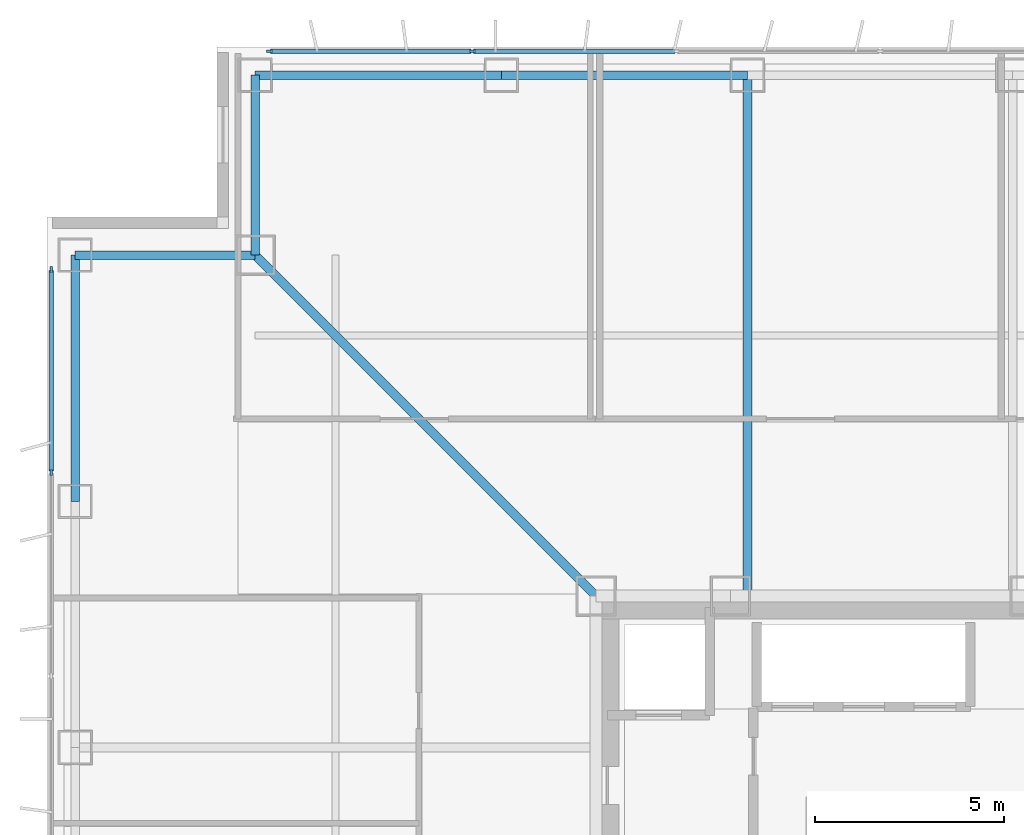
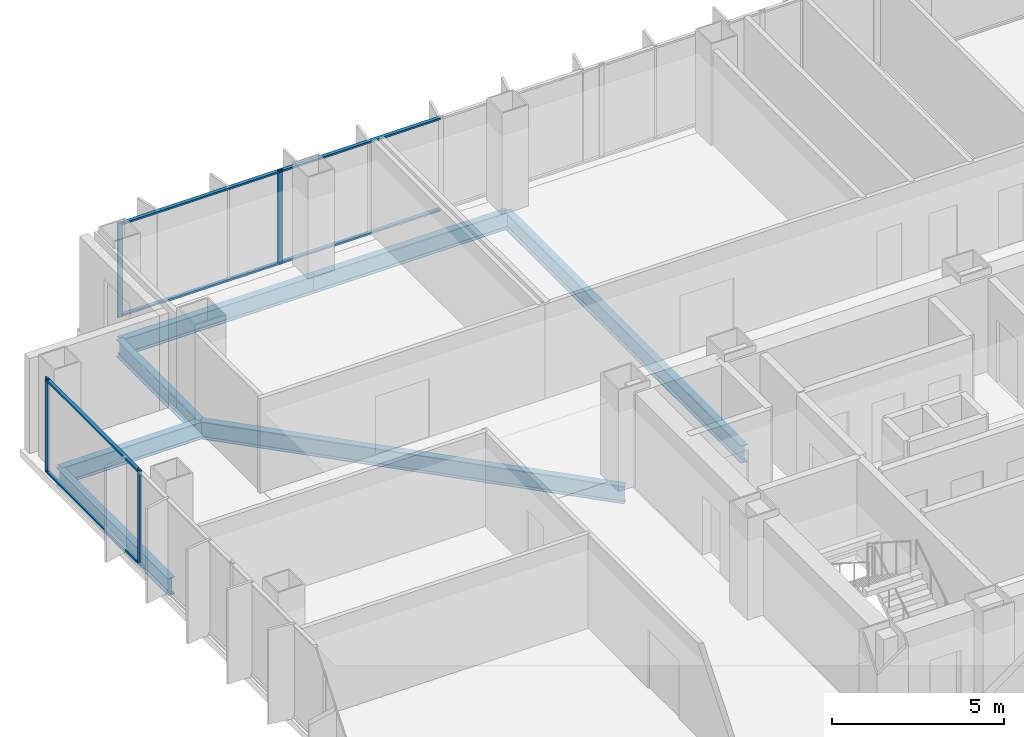
# One storey, part 9 of 17: 10 members, 7 beams, 2 elements without a shape of their own.
"""IFC4 building model written with IfcOpenShell, lengths in metres."""

from ifc_helpers import new_model, si_unit, direction, frame, origin, origin_2d, place, context, subcontext, project, spatial, rectangle, i_section, extrude, material, layer, layer_set, material_profile, profile_set, type_object, element, aggregate, save


model = new_model("IFC4")

# Units and contexts
model_context = context("Model", 3, precision=1e-05, world=origin(), true_north=direction((0.0, 1.0)))
body_context = subcontext(model_context, "Body", "Model", "MODEL_VIEW")
ifc_project = project(units=[si_unit("LENGTHUNIT", "METRE"), si_unit("AREAUNIT", "SQUARE_METRE"), si_unit("VOLUMEUNIT", "CUBIC_METRE"), si_unit("PLANEANGLEUNIT", "RADIAN"), si_unit("MASSUNIT", "GRAM", prefix="KILO")], contexts=[model_context])

# Site, building, storey
site_placement = place(None, origin())
site = spatial("IfcSite", under=ifc_project, at=site_placement, CompositionType="ELEMENT")
building_placement = place(site_placement, origin())
building = spatial("IfcBuilding", under=site, at=building_placement, Name="Trevonay Congress Spire", CompositionType="ELEMENT")
storey_placement = place(building_placement, frame((0.0, 0.0, 126.39990234375)))
storey = spatial("IfcBuildingStorey", under=building, at=storey_placement, Name="L32", CompositionType="ELEMENT", Elevation=126.39990234375)

# Beams
ifc_material_1 = material(Name="Steel ASTM A572 Grade 50", Category="steel")
ifc_material_profile_1 = material_profile(ifc_material_1, i_section(OverallWidth=0.22998046875, OverallDepth=0.616943359375, WebThickness=0.01318359375, FlangeThickness=0.022216796875, FilletRadius=0.01611328125, at=origin_2d()), Name="W610x140")
ifc_profile_set_1 = profile_set([ifc_material_profile_1], Name="Steel ASTM A572 Grade 50")
beam_type_1 = type_object("IfcBeamType", Name="BM-GIRD-W610X140", PredefinedType="BEAM", material=ifc_profile_set_1)
beam_1_placement = place(storey_placement, frame((-7.5, 7.5, -0.54833984375), z_axis=(-0.707106781187, 0.707106781187, 0.0), x_axis=(-0.707106781187, -0.707106781187, 0.0)))
element("IfcBeam", 1, at=beam_1_placement, inside=storey, type_object=beam_type_1, Name="L32 structural beam BM-L32-CDNW", PredefinedType="BEAM", context=body_context, shape_type="SweptSolid", body=[
    extrude(i_section(OverallWidth=0.22998046875, OverallDepth=0.616943359375, WebThickness=0.01318359375, FlangeThickness=0.022216796875, FilletRadius=0.01611328125, at=origin_2d()), origin(), (0.0, 0.0, 1.0), 12.72802734375),
])
beam_2_placement = place(storey_placement, frame((-3.5, 7.5, -0.54833984375), z_axis=(0.0, 1.0, 0.0), x_axis=(-1.0, 0.0, 0.0)))
element("IfcBeam", 2, at=beam_2_placement, inside=storey, type_object=beam_type_1, Name="L32 structural beam BM-L32-GN-M", PredefinedType="BEAM", context=body_context, shape_type="SweptSolid", body=[
    extrude(i_section(OverallWidth=0.22998046875, OverallDepth=0.616943359375, WebThickness=0.01318359375, FlangeThickness=0.022216796875, FilletRadius=0.01611328125, at=origin_2d()), origin(), (0.0, 0.0, 1.0), 13.75),
])
ifc_material_profile_2 = material_profile(ifc_material_1, i_section(OverallWidth=0.22802734375, OverallDepth=0.60791015625, WebThickness=0.01123046875, FlangeThickness=0.017333984375, FilletRadius=0.01611328125, at=origin_2d()), Name="W610x113")
ifc_profile_set_2 = profile_set([ifc_material_profile_2], Name="Steel ASTM A572 Grade 50")
beam_type_2 = type_object("IfcBeamType", Name="BM-RING-W610X113", PredefinedType="BEAM", material=ifc_profile_set_2)
for number, where, z_axis, x_axis, name in (
    (3, (-16.5, 21.25, -0.5439453125), (1.0, 0.0, 0.0), (0.0, 1.0, 0.0), "L32 structural beam BM-L32-PN1"),
    (4, (-10.0, 21.25, -0.5439453125), (1.0, 0.0, 0.0), (0.0, 1.0, 0.0), "L32 structural beam BM-L32-PN2"),
    (5, (-21.25, 10.0, -0.5439453125), (0.0, 1.0, 0.0), (-1.0, 0.0, 0.0), "L32 structural beam BM-L32-PW5"),
):
    element("IfcBeam", number, at=place(storey_placement, frame(where, z_axis=z_axis, x_axis=x_axis)), inside=storey, type_object=beam_type_2, Name=name, PredefinedType="BEAM", context=body_context, shape_type="SweptSolid", body=[
        extrude(i_section(OverallWidth=0.22802734375, OverallDepth=0.60791015625, WebThickness=0.01123046875, FlangeThickness=0.017333984375, FilletRadius=0.01611328125, at=origin_2d()), origin(), (0.0, 0.0, 1.0), 6.5),
    ])
for number, where, z_axis, x_axis, name in (
    (6, (-16.5, 21.25, -0.5439453125), (0.0, -1.0, 0.0), (1.0, 0.0, 0.0), "L32 structural beam BM-L32-N1NW"),
    (7, (-21.25, 16.5, -0.5439453125), (1.0, 0.0, 0.0), (0.0, 1.0, 0.0), "L32 structural beam BM-L32-N2NW"),
):
    element("IfcBeam", number, at=place(storey_placement, frame(where, z_axis=z_axis, x_axis=x_axis)), inside=storey, type_object=beam_type_2, Name=name, PredefinedType="BEAM", context=body_context, shape_type="SweptSolid", body=[
        extrude(i_section(OverallWidth=0.22802734375, OverallDepth=0.60791015625, WebThickness=0.01123046875, FlangeThickness=0.017333984375, FilletRadius=0.01611328125, at=origin_2d()), origin(), (0.0, 0.0, 1.0), 4.75),
    ])

# Curtain wall, members
ifc_material_2 = material(Name="Pale Anodised Aluminium EN AW-6063-T6", Category="aluminium")
ifc_layer = layer(ifc_material_2, 0.175048828125, Name="Pale Anodised Aluminium EN AW-6063-T6")
ifc_layer_set = layer_set([ifc_layer], Name="Pale Anodised Aluminium EN AW-6063-T6")
curtain_wall_type = type_object("IfcCurtainWallType", Name="CW-SYS03-CONGRESS-PALE-METAL", PredefinedType="NOTDEFINED", material=ifc_layer_set)
curtain_wall_1_placement = place(storey_placement, origin())
curtain_wall_1 = element("IfcCurtainWall", 8, at=curtain_wall_1_placement, inside=storey, type_object=curtain_wall_type, Name="L32 N unitised curtain wall", PredefinedType="NOTDEFINED")
ifc_material_profile_3 = material_profile(ifc_material_2, rectangle(XDim=0.06005859375, YDim=0.159912109375, at=origin_2d()), Name="CW-MULLION-160-ALUMINIUM")
ifc_profile_set_3 = profile_set([ifc_material_profile_3], Name="Pale Anodised Aluminium EN AW-6063-T6")
member_type_1 = type_object("IfcMemberType", Name="CW-MULLION-160-ALUMINIUM", PredefinedType="MULLION", material=ifc_profile_set_3)
member_1_placement = place(storey_placement, frame((-16.1201171875, 21.8798828125, 0.0), z_axis=(0.0, 0.0, 1.0), x_axis=(0.0, 1.0, 0.0)))
member_1 = element("IfcMember", 9, at=member_1_placement, type_object=member_type_1, Name="CW03 mullion 1", PredefinedType="MULLION", context=body_context, shape_type="SweptSolid", body=[
    extrude(rectangle(XDim=0.06005859375, YDim=0.159912109375, at=origin_2d()), origin(), (0.0, 0.0, 1.0), 3.360107421875),
])
member_2_placement = place(storey_placement, frame((-10.7666015625, 21.8798828125, 0.0), z_axis=(0.0, 0.0, 1.0), x_axis=(0.0, 1.0, 0.0)))
member_2 = element("IfcMember", 10, at=member_2_placement, type_object=member_type_1, Name="CW03 mullion 2", PredefinedType="MULLION", context=body_context, shape_type="SweptSolid", body=[
    extrude(rectangle(XDim=0.06005859375, YDim=0.159912109375, at=origin_2d()), origin(), (0.0, 0.0, 1.0), 3.360107421875),
])

curtain_wall_2_placement = place(storey_placement, origin())
curtain_wall_2 = element("IfcCurtainWall", 11, at=curtain_wall_2_placement, inside=storey, type_object=curtain_wall_type, Name="L32 W unitised curtain wall", PredefinedType="NOTDEFINED")
member_3_placement = place(storey_placement, frame((-21.8798828125, 10.7666015625, 0.0), z_axis=(0.0, 0.0, 1.0), x_axis=(-1.0, 0.0, 0.0)))
member_3 = element("IfcMember", 12, at=member_3_placement, type_object=member_type_1, Name="CW03 mullion 6", PredefinedType="MULLION", context=body_context, shape_type="SweptSolid", body=[
    extrude(rectangle(XDim=0.06005859375, YDim=0.159912109375, at=origin_2d()), origin(), (0.0, 0.0, 1.0), 3.360107421875),
])
member_4_placement = place(storey_placement, frame((-21.8798828125, 16.1201171875, 0.0), z_axis=(0.0, 0.0, 1.0), x_axis=(-1.0, 0.0, 0.0)))
member_4 = element("IfcMember", 13, at=member_4_placement, type_object=member_type_1, Name="CW03 mullion 7", PredefinedType="MULLION", context=body_context, shape_type="SweptSolid", body=[
    extrude(rectangle(XDim=0.06005859375, YDim=0.159912109375, at=origin_2d()), origin(), (0.0, 0.0, 1.0), 3.360107421875),
])

# Member
ifc_material_profile_4 = material_profile(ifc_material_2, rectangle(XDim=0.1201171875, YDim=0.06005859375, at=origin_2d()), Name="CW-TRANSOM-120-ALUMINIUM")
ifc_profile_set_4 = profile_set([ifc_material_profile_4], Name="Pale Anodised Aluminium EN AW-6063-T6")
member_type_2 = type_object("IfcMemberType", Name="CW-TRANSOM-120-ALUMINIUM", PredefinedType="USERDEFINED", material=ifc_profile_set_4)
member_5_placement = place(storey_placement, frame((-16.090087890625, 21.8798828125, 0.06005859375), z_axis=(1.0, 0.0, 0.0), x_axis=(0.0, 1.0, 0.0)))
member_5 = element("IfcMember", 14, at=member_5_placement, type_object=member_type_2, Name="CW03 transom 1.1", ObjectType="TRANSOM", PredefinedType="USERDEFINED", context=body_context, shape_type="SweptSolid", body=[
    extrude(rectangle(XDim=0.1201171875, YDim=0.06005859375, at=origin_2d()), origin(), (0.0, 0.0, 1.0), 5.29345703125),
])

member_6_placement = place(storey_placement, frame((-16.090087890625, 21.8798828125, 3.300048828125), z_axis=(1.0, 0.0, 0.0), x_axis=(0.0, 1.0, 0.0)))
member_6 = element("IfcMember", 15, at=member_6_placement, type_object=member_type_2, Name="CW03 transom 1.2", ObjectType="TRANSOM", PredefinedType="USERDEFINED", context=body_context, shape_type="SweptSolid", body=[
    extrude(rectangle(XDim=0.1201171875, YDim=0.06005859375, at=origin_2d()), origin(), (0.0, 0.0, 1.0), 5.29345703125),
])

member_7_placement = place(storey_placement, frame((-10.736572265625, 21.8798828125, 0.06005859375), z_axis=(1.0, 0.0, 0.0), x_axis=(0.0, 1.0, 0.0)))
member_7 = element("IfcMember", 16, at=member_7_placement, type_object=member_type_2, Name="CW03 transom 2.1", ObjectType="TRANSOM", PredefinedType="USERDEFINED", context=body_context, shape_type="SweptSolid", body=[
    extrude(rectangle(XDim=0.1201171875, YDim=0.06005859375, at=origin_2d()), origin(), (0.0, 0.0, 1.0), 5.3232421875),
])

member_8_placement = place(storey_placement, frame((-10.736572265625, 21.8798828125, 3.300048828125), z_axis=(1.0, 0.0, 0.0), x_axis=(0.0, 1.0, 0.0)))
member_8 = element("IfcMember", 17, at=member_8_placement, type_object=member_type_2, Name="CW03 transom 2.2", ObjectType="TRANSOM", PredefinedType="USERDEFINED", context=body_context, shape_type="SweptSolid", body=[
    extrude(rectangle(XDim=0.1201171875, YDim=0.06005859375, at=origin_2d()), origin(), (0.0, 0.0, 1.0), 5.3232421875),
])

aggregate(curtain_wall_1, [member_1, member_2, member_5, member_6, member_7, member_8])

member_9_placement = place(storey_placement, frame((-21.8798828125, 10.796630859375, 0.06005859375), z_axis=(0.0, 1.0, 0.0), x_axis=(-1.0, 0.0, 0.0)))
member_9 = element("IfcMember", 18, at=member_9_placement, type_object=member_type_2, Name="CW03 transom 6.1", ObjectType="TRANSOM", PredefinedType="USERDEFINED", context=body_context, shape_type="SweptSolid", body=[
    extrude(rectangle(XDim=0.1201171875, YDim=0.06005859375, at=origin_2d()), origin(), (0.0, 0.0, 1.0), 5.29345703125),
])

member_10_placement = place(storey_placement, frame((-21.8798828125, 10.796630859375, 3.300048828125), z_axis=(0.0, 1.0, 0.0), x_axis=(-1.0, 0.0, 0.0)))
member_10 = element("IfcMember", 19, at=member_10_placement, type_object=member_type_2, Name="CW03 transom 6.2", ObjectType="TRANSOM", PredefinedType="USERDEFINED", context=body_context, shape_type="SweptSolid", body=[
    extrude(rectangle(XDim=0.1201171875, YDim=0.06005859375, at=origin_2d()), origin(), (0.0, 0.0, 1.0), 5.29345703125),
])

aggregate(curtain_wall_2, [member_3, member_4, member_9, member_10])

save(model, "model.ifc")
